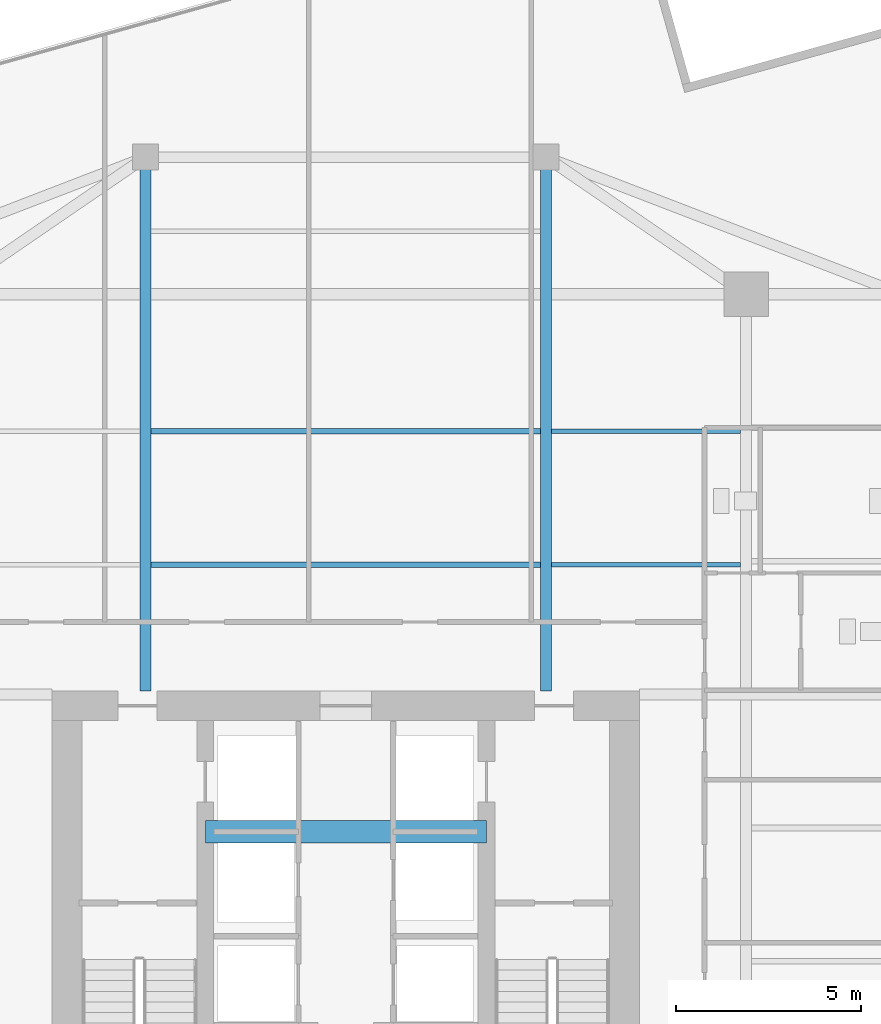
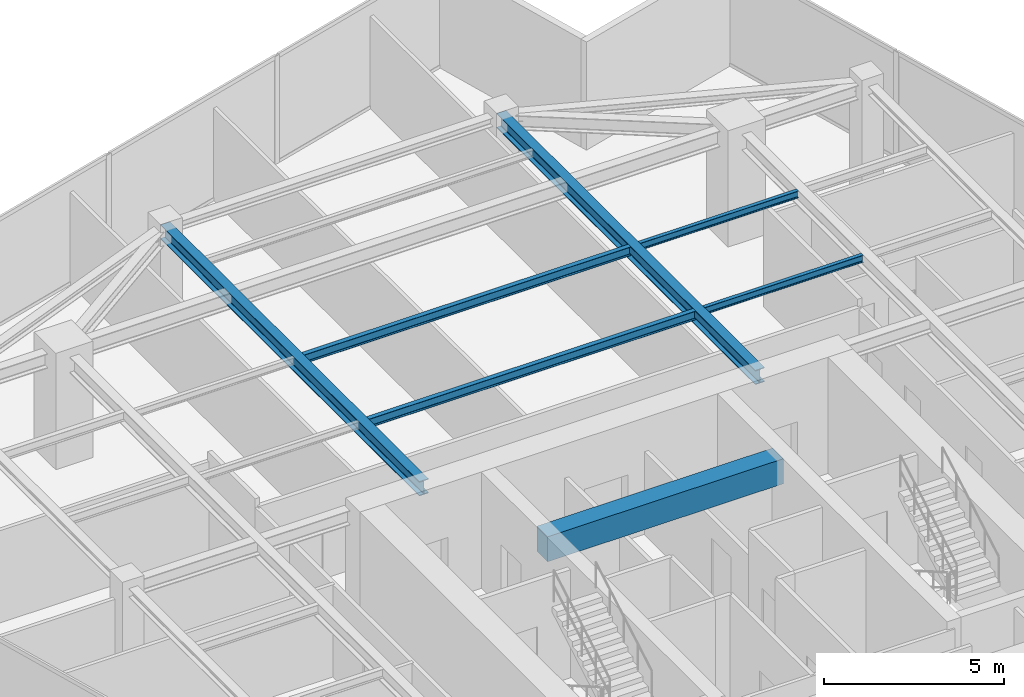
# One storey, part 8 of 20: 7 beams.
"""IFC4 building model written with IfcOpenShell, lengths in metres."""

from ifc_helpers import new_model, si_unit, direction, frame, origin, origin_2d, place, context, subcontext, project, spatial, rectangle, i_section, extrude, source, transform, mapped, material, material_profile, profile_set, type_object, type_shapes, element, save


model = new_model("IFC4")

# Units and contexts
model_context = context("Model", 3, precision=1e-05, world=origin(), true_north=direction((0.0, 1.0)))
body_context = subcontext(model_context, "Body", "Model", "MODEL_VIEW")
ifc_project = project(units=[si_unit("LENGTHUNIT", "METRE"), si_unit("AREAUNIT", "SQUARE_METRE"), si_unit("VOLUMEUNIT", "CUBIC_METRE"), si_unit("PLANEANGLEUNIT", "RADIAN"), si_unit("MASSUNIT", "GRAM", prefix="KILO")], contexts=[model_context])

# Site, building, storey
site_placement = place(None, origin())
site = spatial("IfcSite", under=ifc_project, at=site_placement, CompositionType="ELEMENT")
building_placement = place(site_placement, origin())
building = spatial("IfcBuilding", under=site, at=building_placement, Name="Krantzveldt Concourse Tower", CompositionType="ELEMENT")
storey_placement = place(building_placement, frame((0.0, 0.0, 351.39990234375)))
storey = spatial("IfcBuildingStorey", under=building, at=storey_placement, Name="L86", CompositionType="ELEMENT", Elevation=351.39990234375)

# Beams
ifc_material_1 = material(Name="Steel S355JR", Category="steel")
ifc_material_profile_1 = material_profile(ifc_material_1, i_section(OverallWidth=0.300048828125, OverallDepth=0.489990234375, WebThickness=0.011962890625, FlangeThickness=0.02294921875, FilletRadius=0.027099609375, at=origin_2d()), Name="Steel S355JR", Category="steel")
ifc_profile_set_1 = profile_set([ifc_material_profile_1], Name="Steel S355JR - HEA 500")
beam_type_1 = type_object("IfcBeamType", Name="BM-B-HEA500", PredefinedType="BEAM", material=ifc_profile_set_1)
shared_shape_1 = source(origin(), body_context, "Body", "SweptSolid", [
    extrude(i_section(OverallWidth=0.300048828125, OverallDepth=0.489990234375, WebThickness=0.011962890625, FlangeThickness=0.02294921875, FilletRadius=0.027099609375, at=origin_2d()), origin(), (0.0, 0.0, 1.0), 14.39990234375),
])
type_shapes(beam_type_1, [shared_shape_1])
for number, where, z_axis, x_axis, name in (
    (1, (30.60009765625, 26.800048828125, 3.425048828125), (0.0, 1.0, 0.0), (-1.0, 0.0, 0.0), "L86 Tower Girder BG-CNW"),
    (2, (41.39990234375, 26.800048828125, 3.425048828125), (0.0, 1.0, 0.0), (-1.0, 0.0, 0.0), "L86 Tower Girder BG-CNE"),
):
    element("IfcBeam", number, at=place(storey_placement, frame(where, z_axis=z_axis, x_axis=x_axis)), inside=storey, type_object=beam_type_1, Name=name, PredefinedType="BEAM", context=body_context, shape_type="MappedRepresentation", body=[
        mapped(shared_shape_1, transform((0.0, 0.0, 0.0), x_axis=(1.0, 0.0, 0.0), y_axis=(0.0, 1.0, 0.0), z_axis=(0.0, 0.0, 1.0), scale=1.0)),
    ])
ifc_material_profile_2 = material_profile(ifc_material_1, i_section(OverallWidth=0.14990234375, OverallDepth=0.300048828125, WebThickness=0.007080078125, FlangeThickness=0.0107421875, FilletRadius=0.014892578125, at=origin_2d()), Name="Steel S355JR", Category="steel")
ifc_profile_set_2 = profile_set([ifc_material_profile_2], Name="Steel S355JR - IPE 300")
beam_type_2 = type_object("IfcBeamType", Name="BM-J-IPE300", PredefinedType="JOIST", material=ifc_profile_set_2)
shared_shape_2 = source(origin(), body_context, "Body", "SweptSolid", [
    extrude(i_section(OverallWidth=0.14990234375, OverallDepth=0.300048828125, WebThickness=0.007080078125, FlangeThickness=0.0107421875, FilletRadius=0.014892578125, at=origin_2d()), origin(), (0.0, 0.0, 1.0), 10.5),
])
type_shapes(beam_type_2, [shared_shape_2])
for number, where, z_axis, x_axis, name in (
    (3, (30.75, 30.199951171875, 3.52001953125), (1.0, 0.0, 0.0), (0.0, 1.0, 0.0), "L86 Secondary Floor Joist JN-C1"),
    (4, (30.75, 33.800048828125, 3.52001953125), (1.0, 0.0, 0.0), (0.0, 1.0, 0.0), "L86 Secondary Floor Joist JN-C2"),
):
    element("IfcBeam", number, at=place(storey_placement, frame(where, z_axis=z_axis, x_axis=x_axis)), inside=storey, type_object=beam_type_2, Name=name, PredefinedType="JOIST", context=body_context, shape_type="MappedRepresentation", body=[
        mapped(shared_shape_2, transform((0.0, 0.0, 0.0), x_axis=(1.0, 0.0, 0.0), y_axis=(0.0, 1.0, 0.0), z_axis=(0.0, 0.0, 1.0), scale=1.0)),
    ])
ifc_material_2 = material(Name="Concrete C50/60", Category="concrete")
ifc_material_profile_3 = material_profile(ifc_material_2, rectangle(XDim=0.60009765625, YDim=0.85009765625, at=origin_2d()), Name="Concrete C50/60", Category="concrete")
ifc_profile_set_3 = profile_set([ifc_material_profile_3], Name="Concrete C50/60 - RC-CB 600x850")
beam_type_3 = type_object("IfcBeamType", Name="BM-CB-850", PredefinedType="LINTEL", material=ifc_profile_set_3)
shared_shape_3 = source(origin(), body_context, "Body", "SweptSolid", [
    extrude(rectangle(XDim=0.60009765625, YDim=0.85009765625, at=origin_2d()), origin(), (0.0, 0.0, 1.0), 7.580078125),
])
type_shapes(beam_type_3, [shared_shape_3])
beam_placement = place(storey_placement, frame((32.2099609375, 23.0, 3.2451171875), z_axis=(1.0, 0.0, 0.0), x_axis=(0.0, 1.0, 0.0)))
element("IfcBeam", 5, at=beam_placement, inside=storey, type_object=beam_type_3, Name="CB-L86-01", PredefinedType="LINTEL", context=body_context, shape_type="MappedRepresentation", body=[
    mapped(shared_shape_3, transform((0.0, 0.0, 0.0), x_axis=(1.0, 0.0, 0.0), y_axis=(0.0, 1.0, 0.0), z_axis=(0.0, 0.0, 1.0), scale=1.0)),
])
ifc_material_profile_4 = material_profile(ifc_material_1, i_section(OverallWidth=0.1201171875, OverallDepth=0.239990234375, WebThickness=0.006103515625, FlangeThickness=0.009765625, FilletRadius=0.014892578125, at=origin_2d()), Name="Steel S355JR", Category="steel")
ifc_profile_set_4 = profile_set([ifc_material_profile_4], Name="Steel S355JR - IPE 240")
beam_type_4 = type_object("IfcBeamType", Name="BM-LN-IPE240", PredefinedType="LINTEL", material=ifc_profile_set_4)
shared_shape_4 = source(origin(), body_context, "Body", "SweptSolid", [
    extrude(i_section(OverallWidth=0.1201171875, OverallDepth=0.239990234375, WebThickness=0.006103515625, FlangeThickness=0.009765625, FilletRadius=0.014892578125, at=origin_2d()), origin(), (0.0, 0.0, 1.0), 5.099853515625),
])
type_shapes(beam_type_4, [shared_shape_4])
for number, where, z_axis, x_axis, name in (
    (6, (41.550048828125, 30.199951171875, 3.550048828125), (1.0, 0.0, 0.0), (0.0, 1.0, 0.0), "L86 Secondary Floor Joist JN-E1"),
    (7, (41.550048828125, 33.800048828125, 3.550048828125), (1.0, 0.0, 0.0), (0.0, 1.0, 0.0), "L86 Secondary Floor Joist JN-E2"),
):
    element("IfcBeam", number, at=place(storey_placement, frame(where, z_axis=z_axis, x_axis=x_axis)), inside=storey, type_object=beam_type_4, Name=name, PredefinedType="LINTEL", context=body_context, shape_type="MappedRepresentation", body=[
        mapped(shared_shape_4, transform((0.0, 0.0, 0.0), x_axis=(1.0, 0.0, 0.0), y_axis=(0.0, 1.0, 0.0), z_axis=(0.0, 0.0, 1.0), scale=1.0)),
    ])

save(model, "model.ifc")
